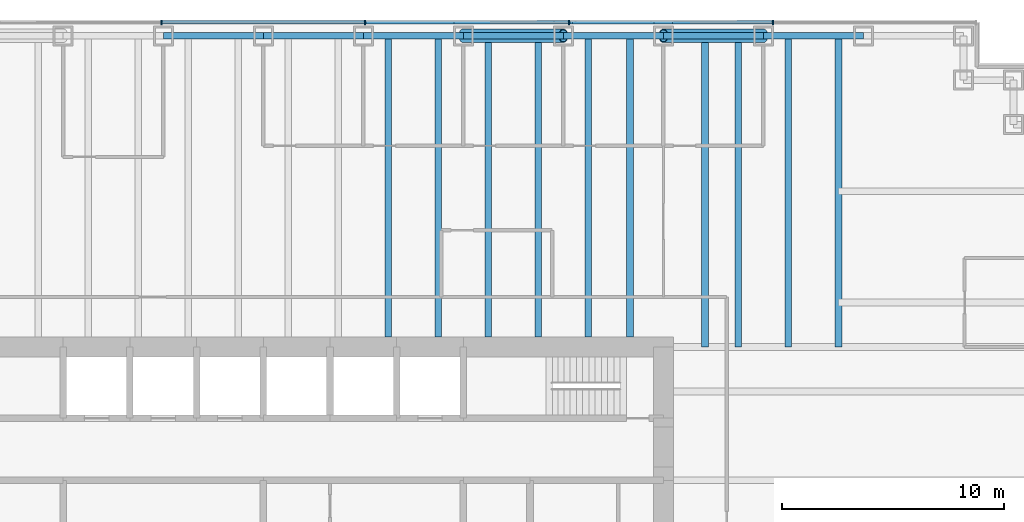
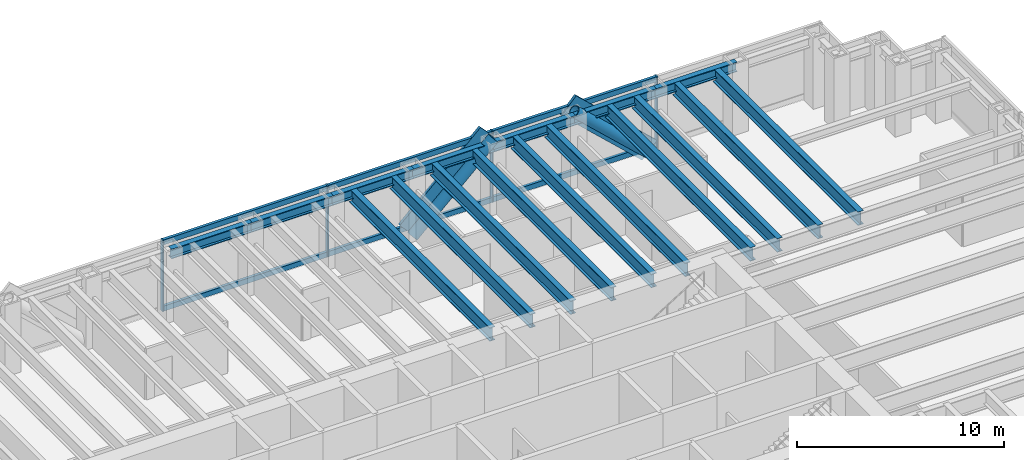
# One storey, part 7 of 15: 17 beams, 14 members, 1 element without a shape of its own.
"""IFC4 building model written with IfcOpenShell, lengths in metres."""

from ifc_helpers import new_model, si_unit, direction, frame, origin, origin_2d, place, context, subcontext, project, spatial, rectangle, hollow_circle, i_section, extrude, material, material_profile, profile_set, type_object, element, aggregate, save


model = new_model("IFC4")

# Units and contexts
model_context = context("Model", 3, precision=1e-05, world=origin(), true_north=direction((0.0, 1.0)))
body_context = subcontext(model_context, "Body", "Model", "MODEL_VIEW")
ifc_project = project(units=[si_unit("LENGTHUNIT", "METRE"), si_unit("AREAUNIT", "SQUARE_METRE"), si_unit("VOLUMEUNIT", "CUBIC_METRE"), si_unit("PLANEANGLEUNIT", "RADIAN"), si_unit("MASSUNIT", "GRAM", prefix="KILO")], contexts=[model_context])

# Site, building, storey
site_placement = place(None, origin())
site = spatial("IfcSite", under=ifc_project, at=site_placement, CompositionType="ELEMENT")
building_placement = place(site_placement, origin())
building = spatial("IfcBuilding", under=site, at=building_placement, Name="Rheinbord Bourse Tower", CompositionType="ELEMENT")
storey_placement = place(building_placement, frame((0.0, 0.0, 163.5)))
storey = spatial("IfcBuildingStorey", under=building, at=storey_placement, Name="L36", CompositionType="ELEMENT", Elevation=163.5)

# Curtain wall, members
ifc_material_1 = material(Name="Dark glass and black aluminium", Category="aluminium")
curtain_wall_type = type_object("IfcCurtainWallType", Name="CW2 DARK GLASS CURTAIN WALL", PredefinedType="USERDEFINED", material=ifc_material_1)
curtain_wall_placement = place(storey_placement, origin())
curtain_wall = element("IfcCurtainWall", 1, at=curtain_wall_placement, inside=storey, type_object=curtain_wall_type, Name="Curtain wall CW2 N L36", ObjectType="UNITISED CURTAIN WALL", PredefinedType="USERDEFINED")
ifc_material_2 = material(Name="Black anodised aluminium", Category="aluminium")
ifc_material_profile_1 = material_profile(ifc_material_2, rectangle(XDim=0.159912109375, YDim=1.2099609375, at=origin_2d()), Name="CW2 DIAGONAL MULLION 1210x160")
ifc_profile_set_1 = profile_set([ifc_material_profile_1], Name="Black anodised aluminium")
member_type_1 = type_object("IfcMemberType", Name="CW2 BLACK DIAGONAL MULLION", PredefinedType="USERDEFINED", material=ifc_profile_set_1)
member_1_placement = place(storey_placement, frame((45.0, 46.60009765625, 0.0), z_axis=(0.73105922506, 0.0, 0.682314010889), x_axis=(0.0, 1.0, 0.0)))
member_1 = element("IfcMember", 2, at=member_1_placement, type_object=member_type_1, Name="CW2 diagonal mullion a", ObjectType="DIAGONAL MULLION", PredefinedType="USERDEFINED", context=body_context, shape_type="SweptSolid", body=[
    extrude(rectangle(XDim=0.159912109375, YDim=1.2099609375, at=origin_2d()), origin(), (0.0, 0.0, 1.0), 6.155517578125),
])
member_2_placement = place(storey_placement, frame((58.5, 46.60009765625, 0.0), z_axis=(-0.73105922506, 0.0, 0.682314010889), x_axis=(0.0, -1.0, 0.0)))
member_2 = element("IfcMember", 3, at=member_2_placement, type_object=member_type_1, Name="CW2 diagonal mullion c", ObjectType="DIAGONAL MULLION", PredefinedType="USERDEFINED", context=body_context, shape_type="SweptSolid", body=[
    extrude(rectangle(XDim=0.159912109375, YDim=1.2099609375, at=origin_2d()), origin(), (0.0, 0.0, 1.0), 6.155517578125),
])
ifc_material_3 = material(Name="Black anodised aluminium", Category="aluminium")
ifc_material_profile_2 = material_profile(ifc_material_3, rectangle(XDim=0.219970703125, YDim=0.070068359375, at=origin_2d()), Name="CW2 MULLION 70x220")
ifc_profile_set_2 = profile_set([ifc_material_profile_2], Name="Black anodised aluminium")
member_type_2 = type_object("IfcMemberType", Name="CW2 BLACK MULLION", PredefinedType="MULLION", material=ifc_profile_set_2)
member_3_placement = place(storey_placement, frame((58.928466796875, 46.60009765625, 0.0), z_axis=(0.0, 0.0, 1.0), x_axis=(0.0, -1.0, 0.0)))
member_3 = element("IfcMember", 4, at=member_3_placement, type_object=member_type_2, Name="CW2 mullion 2", PredefinedType="MULLION", context=body_context, shape_type="SweptSolid", body=[
    extrude(rectangle(XDim=0.219970703125, YDim=0.070068359375, at=origin_2d()), origin(), (0.0, 0.0, 1.0), 4.199951171875),
])
member_4_placement = place(storey_placement, frame((49.757080078125, 46.60009765625, 0.0), z_axis=(0.0, 0.0, 1.0), x_axis=(0.0, -1.0, 0.0)))
member_4 = element("IfcMember", 5, at=member_4_placement, type_object=member_type_2, Name="CW2 mullion 3", PredefinedType="MULLION", context=body_context, shape_type="SweptSolid", body=[
    extrude(rectangle(XDim=0.219970703125, YDim=0.070068359375, at=origin_2d()), origin(), (0.0, 0.0, 1.0), 4.199951171875),
])
member_5_placement = place(storey_placement, frame((40.585693359375, 46.60009765625, 0.0), z_axis=(0.0, 0.0, 1.0), x_axis=(0.0, -1.0, 0.0)))
member_5 = element("IfcMember", 6, at=member_5_placement, type_object=member_type_2, Name="CW2 mullion 4", PredefinedType="MULLION", context=body_context, shape_type="SweptSolid", body=[
    extrude(rectangle(XDim=0.219970703125, YDim=0.070068359375, at=origin_2d()), origin(), (0.0, 0.0, 1.0), 4.199951171875),
])
member_6_placement = place(storey_placement, frame((31.414306640625, 46.60009765625, 0.0), z_axis=(0.0, 0.0, 1.0), x_axis=(0.0, -1.0, 0.0)))
member_6 = element("IfcMember", 7, at=member_6_placement, type_object=member_type_2, Name="CW2 mullion 5", PredefinedType="MULLION", context=body_context, shape_type="SweptSolid", body=[
    extrude(rectangle(XDim=0.219970703125, YDim=0.070068359375, at=origin_2d()), origin(), (0.0, 0.0, 1.0), 4.199951171875),
])
ifc_material_4 = material(Name="Black anodised aluminium", Category="aluminium")
ifc_material_profile_3 = material_profile(ifc_material_4, rectangle(XDim=0.159912109375, YDim=0.300048828125, at=origin_2d()), Name="CW2 TRANSOM 300x160")
ifc_profile_set_3 = profile_set([ifc_material_profile_3], Name="Black anodised aluminium")
member_type_3 = type_object("IfcMemberType", Name="CW2 BLACK TRANSOM", PredefinedType="USERDEFINED", material=ifc_profile_set_3)
member_7_placement = place(storey_placement, frame((58.8935546875, 46.60009765625, 0.14990234375), z_axis=(-1.0, 0.0, 0.0), x_axis=(0.0, -1.0, 0.0)))
member_7 = element("IfcMember", 8, at=member_7_placement, type_object=member_type_3, Name="CW2 transom 2.1", ObjectType="TRANSOM", PredefinedType="USERDEFINED", context=body_context, shape_type="SweptSolid", body=[
    extrude(rectangle(XDim=0.159912109375, YDim=0.300048828125, at=origin_2d()), origin(), (0.0, 0.0, 1.0), 9.101318359375),
])
member_8_placement = place(storey_placement, frame((58.8935546875, 46.60009765625, 4.050048828125), z_axis=(-1.0, 0.0, 0.0), x_axis=(0.0, -1.0, 0.0)))
member_8 = element("IfcMember", 9, at=member_8_placement, type_object=member_type_3, Name="CW2 transom 2.2", ObjectType="TRANSOM", PredefinedType="USERDEFINED", context=body_context, shape_type="SweptSolid", body=[
    extrude(rectangle(XDim=0.159912109375, YDim=0.300048828125, at=origin_2d()), origin(), (0.0, 0.0, 1.0), 9.101318359375),
])
member_9_placement = place(storey_placement, frame((49.72216796875, 46.60009765625, 0.14990234375), z_axis=(-1.0, 0.0, 0.0), x_axis=(0.0, -1.0, 0.0)))
member_9 = element("IfcMember", 10, at=member_9_placement, type_object=member_type_3, Name="CW2 transom 3.1", ObjectType="TRANSOM", PredefinedType="USERDEFINED", context=body_context, shape_type="SweptSolid", body=[
    extrude(rectangle(XDim=0.159912109375, YDim=0.300048828125, at=origin_2d()), origin(), (0.0, 0.0, 1.0), 9.1015625),
])
member_10_placement = place(storey_placement, frame((49.72216796875, 46.60009765625, 4.050048828125), z_axis=(-1.0, 0.0, 0.0), x_axis=(0.0, -1.0, 0.0)))
member_10 = element("IfcMember", 11, at=member_10_placement, type_object=member_type_3, Name="CW2 transom 3.2", ObjectType="TRANSOM", PredefinedType="USERDEFINED", context=body_context, shape_type="SweptSolid", body=[
    extrude(rectangle(XDim=0.159912109375, YDim=0.300048828125, at=origin_2d()), origin(), (0.0, 0.0, 1.0), 9.1015625),
])
member_11_placement = place(storey_placement, frame((40.55078125, 46.60009765625, 0.14990234375), z_axis=(-1.0, 0.0, 0.0), x_axis=(0.0, -1.0, 0.0)))
member_11 = element("IfcMember", 12, at=member_11_placement, type_object=member_type_3, Name="CW2 transom 4.1", ObjectType="TRANSOM", PredefinedType="USERDEFINED", context=body_context, shape_type="SweptSolid", body=[
    extrude(rectangle(XDim=0.159912109375, YDim=0.300048828125, at=origin_2d()), origin(), (0.0, 0.0, 1.0), 9.1015625),
])
member_12_placement = place(storey_placement, frame((40.55078125, 46.60009765625, 4.050048828125), z_axis=(-1.0, 0.0, 0.0), x_axis=(0.0, -1.0, 0.0)))
member_12 = element("IfcMember", 13, at=member_12_placement, type_object=member_type_3, Name="CW2 transom 4.2", ObjectType="TRANSOM", PredefinedType="USERDEFINED", context=body_context, shape_type="SweptSolid", body=[
    extrude(rectangle(XDim=0.159912109375, YDim=0.300048828125, at=origin_2d()), origin(), (0.0, 0.0, 1.0), 9.1015625),
])
aggregate(curtain_wall, [member_3, member_4, member_5, member_6, member_7, member_8, member_9, member_10, member_11, member_12, member_1, member_2])

# Beams
ifc_material_5 = material(Name="Steel S460", Category="steel")
ifc_material_profile_4 = material_profile(ifc_material_5, i_section(OverallWidth=0.300048828125, OverallDepth=0.800048828125, WebThickness=0.017578125, FlangeThickness=0.032958984375, at=origin_2d()), Name="HEB 800")
ifc_profile_set_4 = profile_set([ifc_material_profile_4], Name="Steel S460")
beam_type_1 = type_object("IfcBeamType", Name="FLOOR BEAM HEB 800", PredefinedType="BEAM", material=ifc_profile_set_4)
for number, where, z_axis, x_axis, name in (
    (14, (41.625, 46.0, 3.639892578125), (0.0, -1.0, 0.0), (1.0, 0.0, 0.0), "Floor beam N-40.5a L37"),
    (15, (43.875, 46.0, 3.639892578125), (0.0, -1.0, 0.0), (1.0, 0.0, 0.0), "Floor beam N-40.5b L37"),
    (16, (46.125, 46.0, 3.639892578125), (0.0, -1.0, 0.0), (1.0, 0.0, 0.0), "Floor beam N-45a L37"),
    (17, (48.375, 46.0, 3.639892578125), (0.0, -1.0, 0.0), (1.0, 0.0, 0.0), "Floor beam N-45b L37"),
    (18, (50.625, 46.0, 3.639892578125), (0.0, -1.0, 0.0), (1.0, 0.0, 0.0), "Floor beam N-49.5a L37"),
    (19, (52.5, 46.0, 3.639892578125), (0.0, -1.0, 0.0), (1.0, 0.0, 0.0), "Floor beam N-49.5b L37"),
):
    element("IfcBeam", number, at=place(storey_placement, frame(where, z_axis=z_axis, x_axis=x_axis)), inside=storey, type_object=beam_type_1, Name=name, PredefinedType="BEAM", context=body_context, shape_type="SweptSolid", body=[
        extrude(i_section(OverallWidth=0.300048828125, OverallDepth=0.800048828125, WebThickness=0.017578125, FlangeThickness=0.032958984375, at=origin_2d()), origin(), (0.0, 0.0, 1.0), 13.550048828125),
    ])
for number, where, z_axis, x_axis, name in (
    (20, (55.875, 46.0, 3.639892578125), (0.0, -1.0, 0.0), (1.0, 0.0, 0.0), "Floor beam N-54a L37"),
    (21, (57.375, 46.0, 3.639892578125), (0.0, -1.0, 0.0), (1.0, 0.0, 0.0), "Floor beam N-54b L37"),
    (22, (59.625, 46.0, 3.639892578125), (0.0, -1.0, 0.0), (1.0, 0.0, 0.0), "Floor beam N-58.5a L37"),
    (23, (61.875, 46.0, 3.639892578125), (0.0, -1.0, 0.0), (1.0, 0.0, 0.0), "Floor beam N-58.5b L37"),
):
    element("IfcBeam", number, at=place(storey_placement, frame(where, z_axis=z_axis, x_axis=x_axis)), inside=storey, type_object=beam_type_1, Name=name, PredefinedType="BEAM", context=body_context, shape_type="SweptSolid", body=[
        extrude(i_section(OverallWidth=0.300048828125, OverallDepth=0.800048828125, WebThickness=0.017578125, FlangeThickness=0.032958984375, at=origin_2d()), origin(), (0.0, 0.0, 1.0), 14.0),
    ])

# Members
ifc_material_6 = material(Name="Steel S460", Category="steel")
ifc_material_profile_5 = material_profile(ifc_material_6, hollow_circle(Radius=0.304931640625, WallThickness=0.0400390625, at=origin_2d()), Name="CHS 610x40")
ifc_profile_set_5 = profile_set([ifc_material_profile_5], Name="Steel S460")
member_type_4 = type_object("IfcMemberType", Name="MEGABRACE CHS 610x40", PredefinedType="BRACE", material=ifc_profile_set_5)
for number, where, z_axis, x_axis, name in (
    (24, (45.0, 46.0, 0.0), (0.73105922506, 0.0, 0.682314010889), (0.0, 1.0, 0.0), "Megabrace N face line a L36"),
    (25, (58.5, 46.0, 0.0), (-0.73105922506, 0.0, 0.682314010889), (0.0, -1.0, 0.0), "Megabrace N face line c L36"),
):
    element("IfcMember", number, at=place(storey_placement, frame(where, z_axis=z_axis, x_axis=x_axis)), inside=storey, type_object=member_type_4, Name=name, PredefinedType="BRACE", context=body_context, shape_type="SweptSolid", body=[
        extrude(hollow_circle(Radius=0.304931640625, WallThickness=0.0400390625, at=origin_2d()), origin(), (0.0, 0.0, 1.0), 6.155517578125),
    ])

# Beams
ifc_material_7 = material(Name="Steel S460", Category="steel")
ifc_material_profile_6 = material_profile(ifc_material_7, i_section(OverallWidth=0.305908203125, OverallDepth=0.572021484375, WebThickness=0.02099609375, FlangeThickness=0.0400390625, at=origin_2d()), Name="HEM 550")
ifc_profile_set_6 = profile_set([ifc_material_profile_6], Name="Steel S460")
beam_type_2 = type_object("IfcBeamType", Name="SPANDREL HEM 550", PredefinedType="SPANDREL", material=ifc_profile_set_6)
for number, where, z_axis, x_axis, name in (
    (26, (63.0, 46.0, 3.75390625), (-1.0, 0.0, 0.0), (0.0, -1.0, 0.0), "Spandrel N-63-N-58.5 under L37"),
    (27, (58.5, 46.0, 3.75390625), (-1.0, 0.0, 0.0), (0.0, -1.0, 0.0), "Spandrel N-58.5-N-54 under L37"),
    (28, (54.0, 46.0, 3.75390625), (-1.0, 0.0, 0.0), (0.0, -1.0, 0.0), "Spandrel N-54-N-49.5 under L37"),
    (29, (49.5, 46.0, 3.75390625), (-1.0, 0.0, 0.0), (0.0, -1.0, 0.0), "Spandrel N-49.5-N-45 under L37"),
    (30, (45.0, 46.0, 3.75390625), (-1.0, 0.0, 0.0), (0.0, -1.0, 0.0), "Spandrel N-45-N-40.5 under L37"),
    (31, (40.5, 46.0, 3.75390625), (-1.0, 0.0, 0.0), (0.0, -1.0, 0.0), "Spandrel N-40.5-N-36 under L37"),
    (32, (36.0, 46.0, 3.75390625), (-1.0, 0.0, 0.0), (0.0, -1.0, 0.0), "Spandrel N-36-N-31.5 under L37"),
):
    element("IfcBeam", number, at=place(storey_placement, frame(where, z_axis=z_axis, x_axis=x_axis)), inside=storey, type_object=beam_type_2, Name=name, PredefinedType="SPANDREL", context=body_context, shape_type="SweptSolid", body=[
        extrude(i_section(OverallWidth=0.305908203125, OverallDepth=0.572021484375, WebThickness=0.02099609375, FlangeThickness=0.0400390625, at=origin_2d()), origin(), (0.0, 0.0, 1.0), 4.5),
    ])

save(model, "model.ifc")
